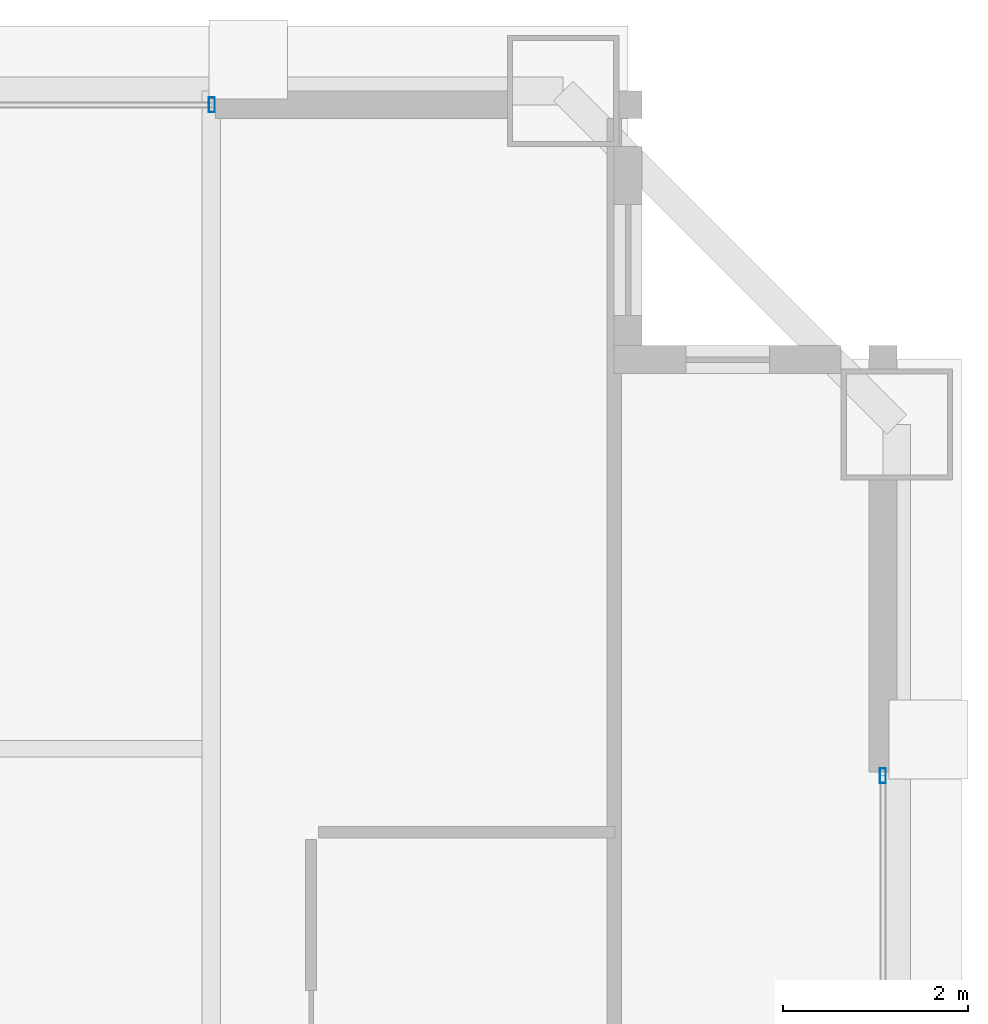
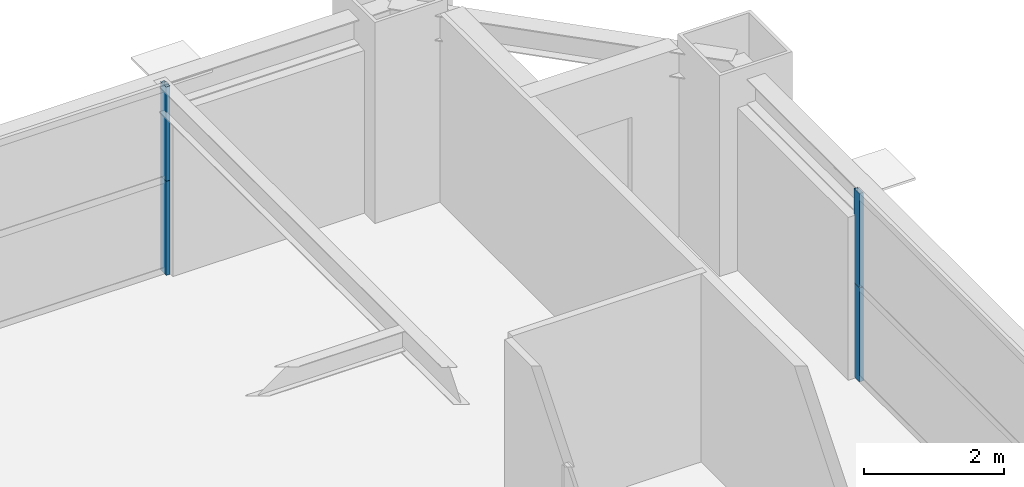
# One storey, part 30 of 36: 4 members, 2 elements without a shape of their own.
"""IFC4 building model written with IfcOpenShell, lengths in metres."""

from ifc_helpers import new_model, si_unit, direction, frame, origin, origin_2d, place, context, subcontext, project, spatial, hollow_rectangle, extrude, source, transform, mapped, material, layer, layer_set, material_profile, profile_set, type_object, element, aggregate, save


model = new_model("IFC4")

# Units and contexts
model_context = context("Model", 3, precision=1e-05, world=origin(), true_north=direction((0.0, 1.0)))
body_context = subcontext(model_context, "Body", "Model", "MODEL_VIEW")
ifc_project = project(units=[si_unit("LENGTHUNIT", "METRE"), si_unit("AREAUNIT", "SQUARE_METRE"), si_unit("VOLUMEUNIT", "CUBIC_METRE"), si_unit("PLANEANGLEUNIT", "RADIAN"), si_unit("MASSUNIT", "GRAM", prefix="KILO"), si_unit("THERMODYNAMICTEMPERATUREUNIT", "KELVIN"), si_unit("POWERUNIT", "WATT")], contexts=[model_context])

# Site, building, storey
site_placement = place(None, origin())
site = spatial("IfcSite", under=ifc_project, at=site_placement, CompositionType="ELEMENT")
building_placement = place(site_placement, origin())
building = spatial("IfcBuilding", under=site, at=building_placement, Name="Yuzanri Waterfront Tower", CompositionType="ELEMENT")
storey_placement = place(building_placement, frame((0.0, 0.0, 238.10009765625)))
storey = spatial("IfcBuildingStorey", under=building, at=storey_placement, Name="L63", CompositionType="ELEMENT", Elevation=238.10009765625)

# Curtain wall, members
ifc_material_1 = material(Name="Anodized Architectural Bronze", Category="metal")
ifc_layer = layer(ifc_material_1, 0.159912109375)
ifc_layer_set = layer_set([ifc_layer], Name="Anodized Architectural Bronze")
curtain_wall_type = type_object("IfcCurtainWallType", Name="Anodized Bronze Mid-Rise Residential Acoustic Unitized Curtain Wall 7200", PredefinedType="NOTDEFINED", material=ifc_layer_set)
curtain_wall_1_placement = place(storey_placement, origin())
curtain_wall_1 = element("IfcCurtainWall", 1, at=curtain_wall_1_placement, inside=storey, type_object=curtain_wall_type, Name="L63 Curtain Wall CW-L63-NR", PredefinedType="NOTDEFINED")
ifc_material_2 = material(Name="Anodized Architectural Bronze", Category="metal")
ifc_material_profile = material_profile(ifc_material_2, hollow_rectangle(XDim=0.06494140625, YDim=0.159912109375, WallThickness=0.00341796875, at=origin_2d()), Name="CWM 65x160")
ifc_profile_set = profile_set([ifc_material_profile], Name="Anodized Architectural Bronze")
member_type = type_object("IfcMemberType", Name="Anodized Bronze Upper-Zone Curtain-Wall Mullion 65x160", PredefinedType="MULLION", material=ifc_profile_set)
shared_shape = source(origin(), body_context, "Body", "SweptSolid", [
    extrude(hollow_rectangle(XDim=0.06494140625, YDim=0.159912109375, WallThickness=0.00341796875, at=origin_2d()), origin(), (0.0, 0.0, 1.0), 1.637939453125),
])
member_1_placement = place(storey_placement, frame((50.2099609375, 46.25, 0.0), z_axis=(0.0, 0.0, 1.0), x_axis=(1.0, 0.0, 0.0)))
member_1 = element("IfcMember", 2, at=member_1_placement, type_object=member_type, Name="CW-L63-NR Lower Mullion 02", PredefinedType="MULLION", context=body_context, shape_type="MappedRepresentation", body=[
    mapped(shared_shape, transform((0.0, 0.0, 0.0), scale=1.0)),
])
member_2_placement = place(storey_placement, frame((50.2099609375, 46.25, 1.641845703125), z_axis=(0.0, 0.0, 1.0), x_axis=(1.0, 0.0, 0.0)))
member_2 = element("IfcMember", 3, at=member_2_placement, type_object=member_type, Name="CW-L63-NR Upper Mullion 02", PredefinedType="MULLION", context=body_context, shape_type="MappedRepresentation", body=[
    mapped(shared_shape, transform((0.0, 0.0, 0.0), scale=1.0)),
])
aggregate(curtain_wall_1, [member_1, member_2])

curtain_wall_2_placement = place(storey_placement, origin())
curtain_wall_2 = element("IfcCurtainWall", 4, at=curtain_wall_2_placement, inside=storey, type_object=curtain_wall_type, Name="L63 Curtain Wall CW-L63-ER", PredefinedType="NOTDEFINED")
member_3_placement = place(storey_placement, frame((57.449951171875, 39.010009765625, 0.0), z_axis=(0.0, 0.0, 1.0), x_axis=(1.0, 0.0, 0.0)))
member_3 = element("IfcMember", 5, at=member_3_placement, type_object=member_type, Name="CW-L63-ER Lower Mullion 02", PredefinedType="MULLION", context=body_context, shape_type="MappedRepresentation", body=[
    mapped(shared_shape, transform((0.0, 0.0, 0.0), scale=1.0)),
])
member_4_placement = place(storey_placement, frame((57.449951171875, 39.010009765625, 1.641845703125), z_axis=(0.0, 0.0, 1.0), x_axis=(1.0, 0.0, 0.0)))
member_4 = element("IfcMember", 6, at=member_4_placement, type_object=member_type, Name="CW-L63-ER Upper Mullion 02", PredefinedType="MULLION", context=body_context, shape_type="MappedRepresentation", body=[
    mapped(shared_shape, transform((0.0, 0.0, 0.0), scale=1.0)),
])
aggregate(curtain_wall_2, [member_3, member_4])

save(model, "model.ifc")
